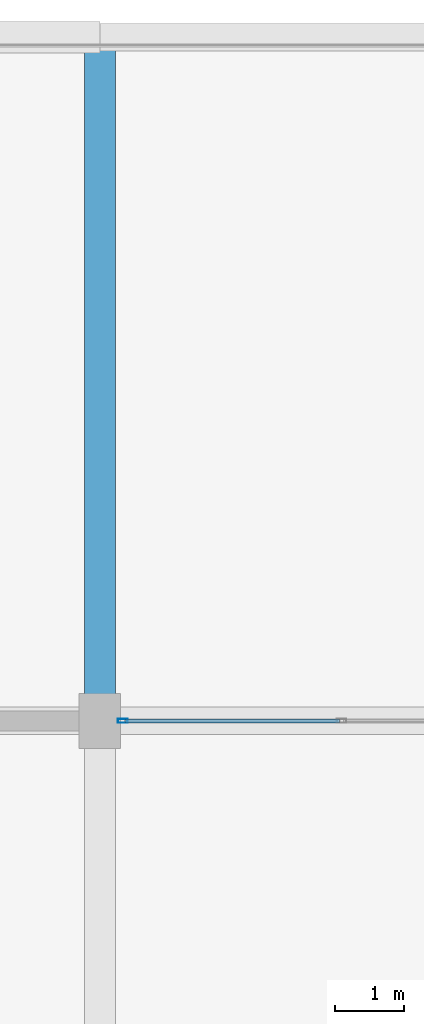
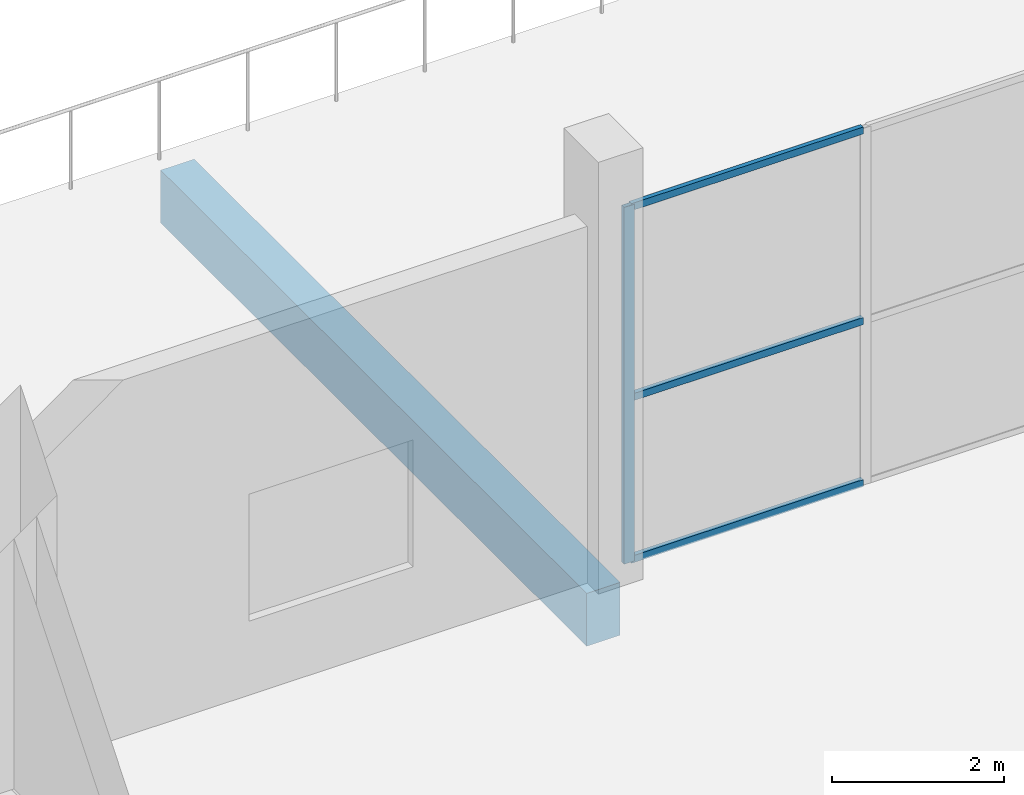
# One storey, part 27 of 58: 4 members, 1 beam, 1 element without a shape of its own.
"""IFC4 building model written with IfcOpenShell, lengths in metres."""

from ifc_helpers import new_model, si_unit, direction, frame, origin, origin_2d, place, context, subcontext, project, spatial, rectangle, hollow_rectangle, extrude, material, layer, layer_set, material_profile, profile_set, type_object, element, aggregate, save


model = new_model("IFC4")

# Units and contexts
model_context = context("Model", 3, precision=1e-05, world=origin(), true_north=direction((0.0, 1.0)))
body_context = subcontext(model_context, "Body", "Model", "MODEL_VIEW")
ifc_project = project(units=[si_unit("LENGTHUNIT", "METRE"), si_unit("AREAUNIT", "SQUARE_METRE"), si_unit("VOLUMEUNIT", "CUBIC_METRE"), si_unit("PLANEANGLEUNIT", "RADIAN"), si_unit("MASSUNIT", "GRAM", prefix="KILO")], contexts=[model_context])

# Site, building, storey
site_placement = place(None, origin())
site = spatial("IfcSite", under=ifc_project, at=site_placement, CompositionType="ELEMENT")
building_placement = place(site_placement, origin())
building = spatial("IfcBuilding", under=site, at=building_placement, Name="Sillaruma Civic Art Gallery", CompositionType="ELEMENT")
storey_placement = place(building_placement, frame((0.0, 0.0, 22.43994140625)))
storey = spatial("IfcBuildingStorey", under=building, at=storey_placement, Name="L04", CompositionType="ELEMENT", Elevation=22.43994140625)

# Beam
ifc_material_1 = material(Name="Concrete H40 (40 MPa)", Category="concrete")
ifc_material_profile_1 = material_profile(ifc_material_1, rectangle(XDim=0.449951171875, YDim=0.75, at=origin_2d()), Name="RCB450x750")
ifc_profile_set_1 = profile_set([ifc_material_profile_1], Name="Concrete H40 (40 MPa)")
beam_type = type_object("IfcBeamType", Name="BM-BEAM-RCB450x750", PredefinedType="BEAM", material=ifc_profile_set_1)
beam_placement = place(storey_placement, frame((70.0, 99.0, -0.635009765625), z_axis=(0.0, 1.0, 0.0), x_axis=(-1.0, 0.0, 0.0)))
element("IfcBeam", 1, at=beam_placement, inside=storey, type_object=beam_type, Name="Beam BM-03 (L03:G:11-12)", PredefinedType="BEAM", context=body_context, shape_type="SweptSolid", body=[
    extrude(rectangle(XDim=0.449951171875, YDim=0.75, at=origin_2d()), origin(), (0.0, 0.0, 1.0), 9.89990234375),
])

# Curtain wall, members
ifc_material_2 = material(Name="Thermally Broken Extruded Aluminium 6063-T6", Category="aluminium")
ifc_layer = layer(ifc_material_2, 0.139892578125, Name="Thermally Broken Extruded Aluminium 6063-T6")
ifc_layer_set = layer_set([ifc_layer], Name="Thermally Broken Extruded Aluminium 6063-T6")
curtain_wall_type = type_object("IfcCurtainWallType", Name="CW-UNI-26", PredefinedType="NOTDEFINED", material=ifc_layer_set)
curtain_wall_placement = place(storey_placement, origin())
curtain_wall = element("IfcCurtainWall", 2, at=curtain_wall_placement, inside=storey, type_object=curtain_wall_type, Name="Unitised Curtain Wall CW-26 (CW-L04-N-2)", PredefinedType="NOTDEFINED")
ifc_material_profile_2 = material_profile(ifc_material_2, hollow_rectangle(XDim=0.06005859375, YDim=0.139892578125, WallThickness=0.00341796875, at=origin_2d()), Name="CWM60x140")
ifc_profile_set_2 = profile_set([ifc_material_profile_2], Name="Thermally Broken Extruded Aluminium 6063-T6")
member_type_1 = type_object("IfcMemberType", Name="MEM-MUL-CWM60x140", PredefinedType="MULLION", material=ifc_profile_set_2)
member_1_placement = place(storey_placement, frame((70.330078125, 99.0, 0.0), z_axis=(0.0, 0.0, 1.0), x_axis=(0.0, 1.0, 0.0)))
member_1 = element("IfcMember", 3, at=member_1_placement, type_object=member_type_1, Name="CW-26 mullion 1", PredefinedType="MULLION", context=body_context, shape_type="SweptSolid", body=[
    extrude(hollow_rectangle(XDim=0.06005859375, YDim=0.139892578125, WallThickness=0.00341796875, at=origin_2d()), origin(), (0.0, 0.0, 1.0), 5.06005859375),
])
ifc_material_profile_3 = material_profile(ifc_material_2, hollow_rectangle(XDim=0.06005859375, YDim=0.10009765625, WallThickness=0.003173828125, at=origin_2d()), Name="CWT60x100")
ifc_profile_set_3 = profile_set([ifc_material_profile_3], Name="Thermally Broken Extruded Aluminium 6063-T6")
member_type_2 = type_object("IfcMemberType", Name="MEM-TRN-CWT60x100", PredefinedType="USERDEFINED", material=ifc_profile_set_3)
member_2_placement = place(storey_placement, frame((70.360107421875, 99.0, 0.030029296875), z_axis=(1.0, 0.0, 0.0), x_axis=(0.0, 1.0, 0.0)))
member_2 = element("IfcMember", 4, at=member_2_placement, type_object=member_type_2, Name="CW-26 transom 1.1", ObjectType="TRANSOM", PredefinedType="USERDEFINED", context=body_context, shape_type="SweptSolid", body=[
    extrude(hollow_rectangle(XDim=0.06005859375, YDim=0.10009765625, WallThickness=0.003173828125, at=origin_2d()), origin(), (0.0, 0.0, 1.0), 3.10986328125),
])
member_3_placement = place(storey_placement, frame((70.360107421875, 99.0, 2.32763671875), z_axis=(1.0, 0.0, 0.0), x_axis=(0.0, 1.0, 0.0)))
member_3 = element("IfcMember", 5, at=member_3_placement, type_object=member_type_2, Name="CW-26 transom 1.2", ObjectType="TRANSOM", PredefinedType="USERDEFINED", context=body_context, shape_type="SweptSolid", body=[
    extrude(hollow_rectangle(XDim=0.06005859375, YDim=0.10009765625, WallThickness=0.003173828125, at=origin_2d()), origin(), (0.0, 0.0, 1.0), 3.10986328125),
])
member_4_placement = place(storey_placement, frame((70.360107421875, 99.0, 5.030029296875), z_axis=(1.0, 0.0, 0.0), x_axis=(0.0, 1.0, 0.0)))
member_4 = element("IfcMember", 6, at=member_4_placement, type_object=member_type_2, Name="CW-26 transom 1.3", ObjectType="TRANSOM", PredefinedType="USERDEFINED", context=body_context, shape_type="SweptSolid", body=[
    extrude(hollow_rectangle(XDim=0.06005859375, YDim=0.10009765625, WallThickness=0.003173828125, at=origin_2d()), origin(), (0.0, 0.0, 1.0), 3.10986328125),
])
aggregate(curtain_wall, [member_1, member_2, member_3, member_4])

save(model, "model.ifc")
